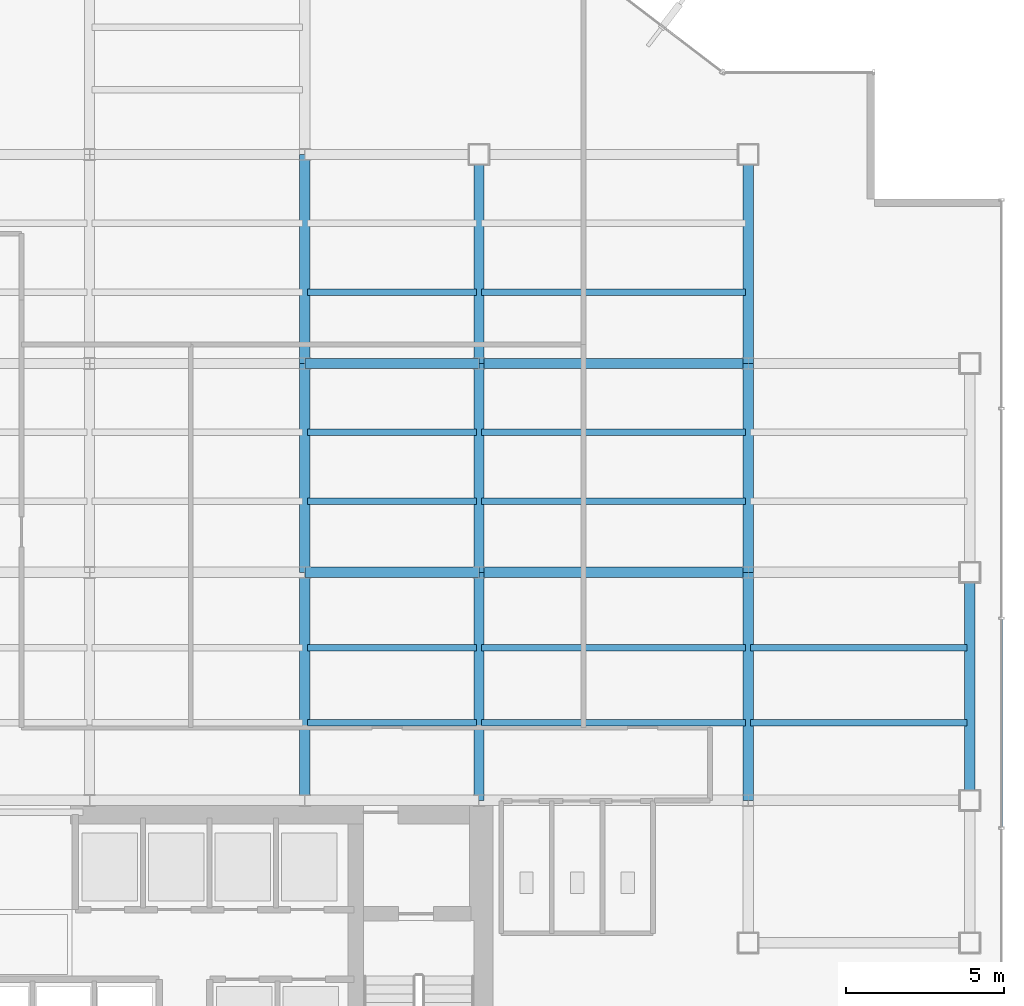
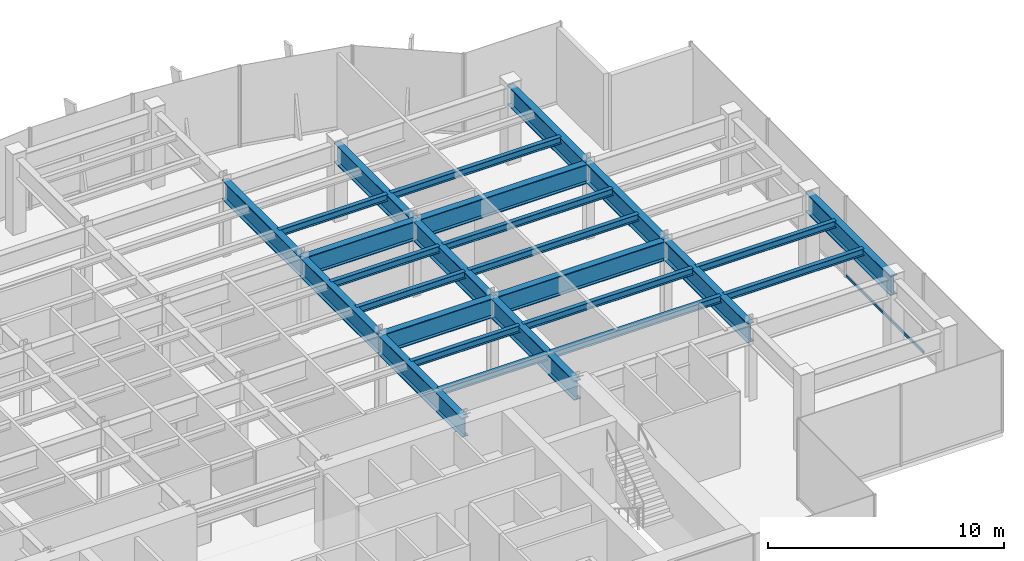
# One storey, part 7 of 26: 26 beams, 1 member, 1 element without a shape of its own.
"""IFC4 building model written with IfcOpenShell, lengths in metres."""

from ifc_helpers import new_model, si_unit, derived_unit, direction, frame, origin, origin_2d, place, context, subcontext, project, spatial, hollow_rectangle, i_section, extrude, source, transform, mapped, material, material_profile, profile_set, type_object, element, aggregate, save


model = new_model("IFC4")

# Units and contexts
model_context = context("Model", 3, precision=1e-05, world=origin(), true_north=direction((0.0, 1.0)))
body_context = subcontext(model_context, "Body", "Model", "MODEL_VIEW")
ifc_project = project(units=[si_unit("LENGTHUNIT", "METRE"), si_unit("AREAUNIT", "SQUARE_METRE"), si_unit("VOLUMEUNIT", "CUBIC_METRE"), si_unit("PLANEANGLEUNIT", "RADIAN"), si_unit("MASSUNIT", "GRAM", prefix="KILO"), derived_unit("THERMALTRANSMITTANCEUNIT", [(si_unit("POWERUNIT", "WATT"), 1), (si_unit("LENGTHUNIT", "METRE"), -2), (si_unit("THERMODYNAMICTEMPERATUREUNIT", "KELVIN"), -1)])], contexts=[model_context])

# Site, building, storey
site_placement = place(None, origin())
site = spatial("IfcSite", under=ifc_project, at=site_placement, CompositionType="ELEMENT")
building_placement = place(site_placement, origin())
building = spatial("IfcBuilding", under=site, at=building_placement, Name="Skarnbrae Concourse Arena and Tower", CompositionType="ELEMENT")
storey_placement = place(building_placement, frame((0.0, 0.0, 184.39990234375)))
storey = spatial("IfcBuildingStorey", under=building, at=storey_placement, Name="L47", CompositionType="ELEMENT", Elevation=184.39990234375)

# Beams
ifc_material_1 = material(Name="Steel CSA G40.21 350W", Category="steel")
ifc_material_profile_1 = material_profile(ifc_material_1, i_section(OverallWidth=0.327880859375, OverallDepth=1.0, WebThickness=0.02099609375, FlangeThickness=0.03759765625, at=origin_2d()), Name="W1000X371")
ifc_profile_set_1 = profile_set([ifc_material_profile_1], Name="Steel CSA G40.21 350W")
beam_type_1 = type_object("IfcBeamType", Name="BM-XFER-W1000X371", PredefinedType="BEAM", material=ifc_profile_set_1)
shared_shape_1 = source(origin(), body_context, "Body", "SweptSolid", [
    extrude(i_section(OverallWidth=0.327880859375, OverallDepth=1.0, WebThickness=0.02099609375, FlangeThickness=0.03759765625, at=origin_2d()), origin(), (0.0, 0.0, 1.0), 6.60009765625),
])
for number, where, z_axis, x_axis, name in (
    (1, (28.0, 21.199951171875, 3.400146484375), (0.0, 1.0, 0.0), (-1.0, 0.0, 0.0), "L47 Primary N-S girder X28.0-2"),
    (2, (33.5, 21.199951171875, 3.400146484375), (0.0, 1.0, 0.0), (-1.0, 0.0, 0.0), "L47 Primary N-S girder X33.5-2"),
    (3, (42.0, 21.199951171875, 3.400146484375), (0.0, 1.0, 0.0), (-1.0, 0.0, 0.0), "L47 Primary N-S girder X42.0-3"),
):
    element("IfcBeam", number, at=place(storey_placement, frame(where, z_axis=z_axis, x_axis=x_axis)), inside=storey, type_object=beam_type_1, Name=name, PredefinedType="BEAM", context=body_context, shape_type="MappedRepresentation", body=[
        mapped(shared_shape_1, transform((0.0, 0.0, 0.0))),
    ])
shared_shape_2 = source(origin(), body_context, "Body", "SweptSolid", [
    extrude(i_section(OverallWidth=0.327880859375, OverallDepth=1.0, WebThickness=0.02099609375, FlangeThickness=0.03759765625, at=origin_2d()), origin(), (0.0, 0.0, 1.0), 5.5),
])
for number, where, z_axis, x_axis, name in (
    (4, (28.0, 21.199951171875, 3.400146484375), (1.0, 0.0, 0.0), (0.0, 1.0, 0.0), "L47 Primary E-W girder Y21.2-5"),
    (5, (28.0, 27.800048828125, 3.400146484375), (1.0, 0.0, 0.0), (0.0, 1.0, 0.0), "L47 Primary E-W girder Y27.8-5"),
):
    element("IfcBeam", number, at=place(storey_placement, frame(where, z_axis=z_axis, x_axis=x_axis)), inside=storey, type_object=beam_type_1, Name=name, PredefinedType="BEAM", context=body_context, shape_type="MappedRepresentation", body=[
        mapped(shared_shape_2, transform((0.0, 0.0, 0.0))),
    ])
shared_shape_3 = source(origin(), body_context, "Body", "SweptSolid", [
    extrude(i_section(OverallWidth=0.327880859375, OverallDepth=1.0, WebThickness=0.02099609375, FlangeThickness=0.03759765625, at=origin_2d()), origin(), (0.0, 0.0, 1.0), 8.5),
])
for number, where, z_axis, x_axis, name in (
    (6, (33.5, 21.199951171875, 3.400146484375), (1.0, 0.0, 0.0), (0.0, 1.0, 0.0), "L47 Primary E-W girder Y21.2-6"),
    (7, (33.5, 27.800048828125, 3.400146484375), (1.0, 0.0, 0.0), (0.0, 1.0, 0.0), "L47 Primary E-W girder Y27.8-6"),
):
    element("IfcBeam", number, at=place(storey_placement, frame(where, z_axis=z_axis, x_axis=x_axis)), inside=storey, type_object=beam_type_1, Name=name, PredefinedType="BEAM", context=body_context, shape_type="MappedRepresentation", body=[
        mapped(shared_shape_3, transform((0.0, 0.0, 0.0))),
    ])
shared_shape_4 = source(origin(), body_context, "Body", "SweptSolid", [
    extrude(i_section(OverallWidth=0.327880859375, OverallDepth=1.0, WebThickness=0.02099609375, FlangeThickness=0.03759765625, at=origin_2d()), origin(), (0.0, 0.0, 1.0), 7.199951171875),
])
for number, where, z_axis, x_axis, name in (
    (8, (28.0, 14.0, 3.400146484375), (0.0, 1.0, 0.0), (-1.0, 0.0, 0.0), "L47 Primary N-S girder X28.0-1"),
    (9, (33.5, 14.0, 3.400146484375), (0.0, 1.0, 0.0), (-1.0, 0.0, 0.0), "L47 Primary N-S girder X33.5-1"),
    (10, (42.0, 14.0, 3.400146484375), (0.0, 1.0, 0.0), (-1.0, 0.0, 0.0), "L47 Primary N-S girder X42.0-2"),
    (11, (49.0, 14.0, 3.400146484375), (0.0, 1.0, 0.0), (-1.0, 0.0, 0.0), "L47 Perimeter spandrel X49.0-2"),
):
    element("IfcBeam", number, at=place(storey_placement, frame(where, z_axis=z_axis, x_axis=x_axis)), inside=storey, type_object=beam_type_1, Name=name, PredefinedType="BEAM", context=body_context, shape_type="MappedRepresentation", body=[
        mapped(shared_shape_4, transform((0.0, 0.0, 0.0))),
    ])
shared_shape_5 = source(origin(), body_context, "Body", "SweptSolid", [
    extrude(i_section(OverallWidth=0.327880859375, OverallDepth=1.0, WebThickness=0.02099609375, FlangeThickness=0.03759765625, at=origin_2d()), origin(), (0.0, 0.0, 1.0), 6.599853515625),
])
for number, where, z_axis, x_axis, name in (
    (12, (28.0, 27.800048828125, 3.400146484375), (0.0, 1.0, 0.0), (-1.0, 0.0, 0.0), "L47 Primary N-S girder X28.0-3"),
    (13, (33.5, 27.800048828125, 3.400146484375), (0.0, 1.0, 0.0), (-1.0, 0.0, 0.0), "L47 Primary N-S girder X33.5-3"),
    (14, (42.0, 27.800048828125, 3.400146484375), (0.0, 1.0, 0.0), (-1.0, 0.0, 0.0), "L47 Primary N-S girder X42.0-4"),
):
    element("IfcBeam", number, at=place(storey_placement, frame(where, z_axis=z_axis, x_axis=x_axis)), inside=storey, type_object=beam_type_1, Name=name, PredefinedType="BEAM", context=body_context, shape_type="MappedRepresentation", body=[
        mapped(shared_shape_5, transform((0.0, 0.0, 0.0))),
    ])
ifc_material_profile_2 = material_profile(ifc_material_1, i_section(OverallWidth=0.205078125, OverallDepth=0.35400390625, WebThickness=0.009521484375, FlangeThickness=0.016845703125, at=origin_2d()), Name="W360X79")
ifc_profile_set_2 = profile_set([ifc_material_profile_2], Name="Steel CSA G40.21 350W")
beam_type_2 = type_object("IfcBeamType", Name="BM-JOIST-W360X79", PredefinedType="JOIST", material=ifc_profile_set_2)
shared_shape_6 = source(origin(), body_context, "Body", "SweptSolid", [
    extrude(i_section(OverallWidth=0.205078125, OverallDepth=0.35400390625, WebThickness=0.009521484375, FlangeThickness=0.016845703125, at=origin_2d()), origin(), (0.0, 0.0, 1.0), 5.33984375),
])
for number, where, z_axis, x_axis, name in (
    (15, (28.080078125, 16.447998046875, 3.72314453125), (1.0, 0.0, 0.0), (0.0, 1.0, 0.0), "L47 Secondary floor joist 1.1.5"),
    (16, (28.080078125, 18.823974609375, 3.72314453125), (1.0, 0.0, 0.0), (0.0, 1.0, 0.0), "L47 Secondary floor joist 1.2.5"),
    (17, (28.080078125, 23.444091796875, 3.72314453125), (1.0, 0.0, 0.0), (0.0, 1.0, 0.0), "L47 Secondary floor joist 2.1.5"),
    (18, (28.080078125, 25.6220703125, 3.72314453125), (1.0, 0.0, 0.0), (0.0, 1.0, 0.0), "L47 Secondary floor joist 2.2.5"),
    (19, (28.080078125, 30.0439453125, 3.72314453125), (1.0, 0.0, 0.0), (0.0, 1.0, 0.0), "L47 Secondary floor joist 3.1.4"),
):
    element("IfcBeam", number, at=place(storey_placement, frame(where, z_axis=z_axis, x_axis=x_axis)), inside=storey, type_object=beam_type_2, Name=name, PredefinedType="JOIST", context=body_context, shape_type="MappedRepresentation", body=[
        mapped(shared_shape_6, transform((0.0, 0.0, 0.0))),
    ])
shared_shape_7 = source(origin(), body_context, "Body", "SweptSolid", [
    extrude(i_section(OverallWidth=0.205078125, OverallDepth=0.35400390625, WebThickness=0.009521484375, FlangeThickness=0.016845703125, at=origin_2d()), origin(), (0.0, 0.0, 1.0), 8.33984375),
])
for number, where, z_axis, x_axis, name in (
    (20, (33.580078125, 16.447998046875, 3.72314453125), (1.0, 0.0, 0.0), (0.0, 1.0, 0.0), "L47 Secondary floor joist 1.1.6"),
    (21, (33.580078125, 18.823974609375, 3.72314453125), (1.0, 0.0, 0.0), (0.0, 1.0, 0.0), "L47 Secondary floor joist 1.2.6"),
    (22, (33.580078125, 23.444091796875, 3.72314453125), (1.0, 0.0, 0.0), (0.0, 1.0, 0.0), "L47 Secondary floor joist 2.1.6"),
    (23, (33.580078125, 25.6220703125, 3.72314453125), (1.0, 0.0, 0.0), (0.0, 1.0, 0.0), "L47 Secondary floor joist 2.2.6"),
    (24, (33.580078125, 30.0439453125, 3.72314453125), (1.0, 0.0, 0.0), (0.0, 1.0, 0.0), "L47 Secondary floor joist 3.1.5"),
):
    element("IfcBeam", number, at=place(storey_placement, frame(where, z_axis=z_axis, x_axis=x_axis)), inside=storey, type_object=beam_type_2, Name=name, PredefinedType="JOIST", context=body_context, shape_type="MappedRepresentation", body=[
        mapped(shared_shape_7, transform((0.0, 0.0, 0.0))),
    ])
shared_shape_8 = source(origin(), body_context, "Body", "SweptSolid", [
    extrude(i_section(OverallWidth=0.205078125, OverallDepth=0.35400390625, WebThickness=0.009521484375, FlangeThickness=0.016845703125, at=origin_2d()), origin(), (0.0, 0.0, 1.0), 6.83984375),
])
for number, where, z_axis, x_axis, name in (
    (25, (42.080078125, 16.447998046875, 3.72314453125), (1.0, 0.0, 0.0), (0.0, 1.0, 0.0), "L47 Secondary floor joist 1.1.7"),
    (26, (42.080078125, 18.823974609375, 3.72314453125), (1.0, 0.0, 0.0), (0.0, 1.0, 0.0), "L47 Secondary floor joist 1.2.7"),
):
    element("IfcBeam", number, at=place(storey_placement, frame(where, z_axis=z_axis, x_axis=x_axis)), inside=storey, type_object=beam_type_2, Name=name, PredefinedType="JOIST", context=body_context, shape_type="MappedRepresentation", body=[
        mapped(shared_shape_8, transform((0.0, 0.0, 0.0))),
    ])

# Curtain wall, member
ifc_material_2 = material(Name="Bronze anodised aluminium 6063-T6", Category="aluminium")
curtain_wall_type = type_object("IfcCurtainWallType", Name="CW-SYS-06-SKYLOBBY", PredefinedType="USERDEFINED", material=ifc_material_2)
curtain_wall_placement = place(storey_placement, origin())
curtain_wall = element("IfcCurtainWall", 27, at=curtain_wall_placement, inside=storey, type_object=curtain_wall_type, Name="L47 Unitised curtain wall CW-L47-E04", ObjectType="UNITISED CURTAIN WALL", PredefinedType="USERDEFINED")
ifc_material_profile_3 = material_profile(ifc_material_2, hollow_rectangle(XDim=0.070068359375, YDim=0.135009765625, WallThickness=0.00390625, at=origin_2d()), Name="ALU-TRAN-70X135")
ifc_profile_set_3 = profile_set([ifc_material_profile_3], Name="Bronze anodised aluminium 6063-T6")
member_type = type_object("IfcMemberType", Name="CWT-CW-06", PredefinedType="USERDEFINED", material=ifc_profile_set_3)
shared_shape_9 = source(origin(), body_context, "Body", "SweptSolid", [
    extrude(hollow_rectangle(XDim=0.070068359375, YDim=0.135009765625, WallThickness=0.00390625, at=origin_2d()), origin(), (0.0, 0.0, 1.0), 6.55517578125),
])
member_placement = place(storey_placement, frame((50.0, 13.159912109375, 0.067626953125), z_axis=(0.0, 1.0, 0.0), x_axis=(-1.0, 0.0, 0.0)))
member = element("IfcMember", 28, at=member_placement, type_object=member_type, Name="CW-L47-E04 Transom 2", ObjectType="TRANSOM", PredefinedType="USERDEFINED", context=body_context, shape_type="MappedRepresentation", body=[
    mapped(shared_shape_9, transform((0.0, 0.0, 0.0))),
])
aggregate(curtain_wall, [member])

save(model, "model.ifc")
